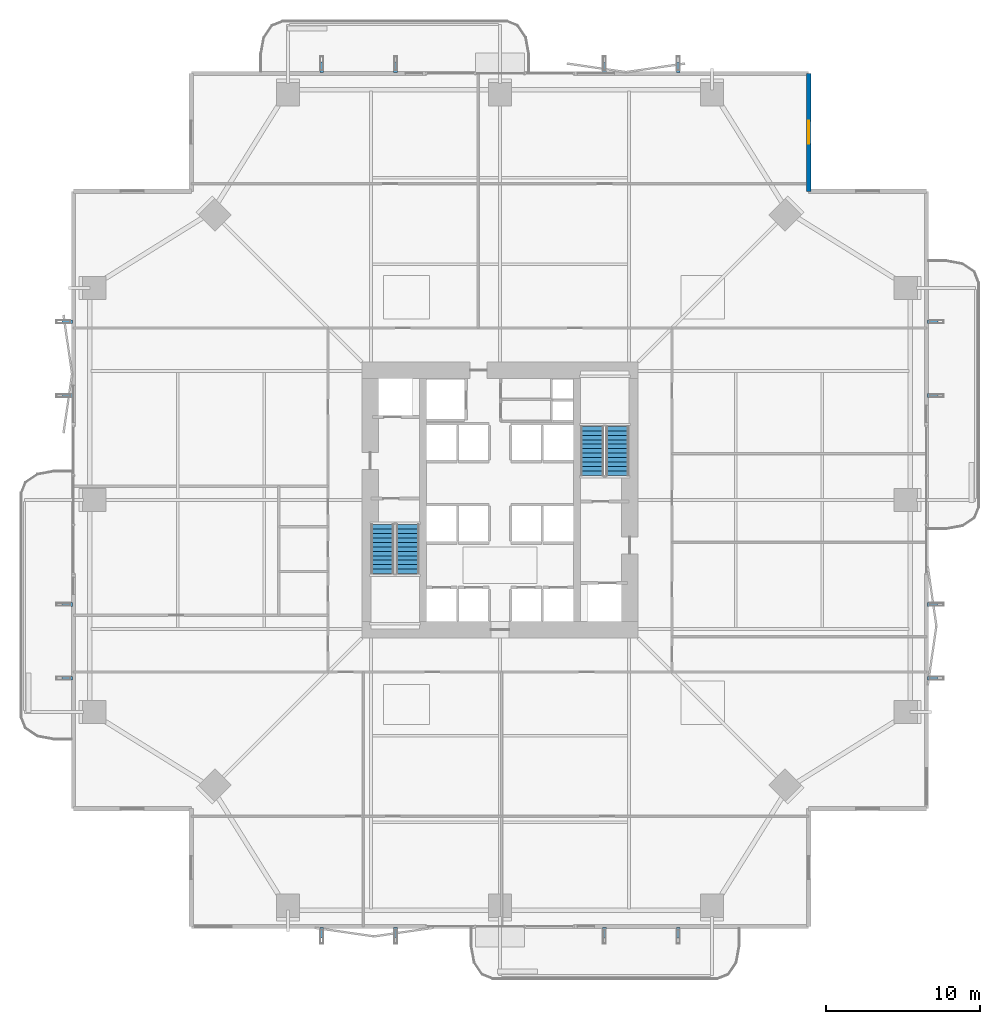
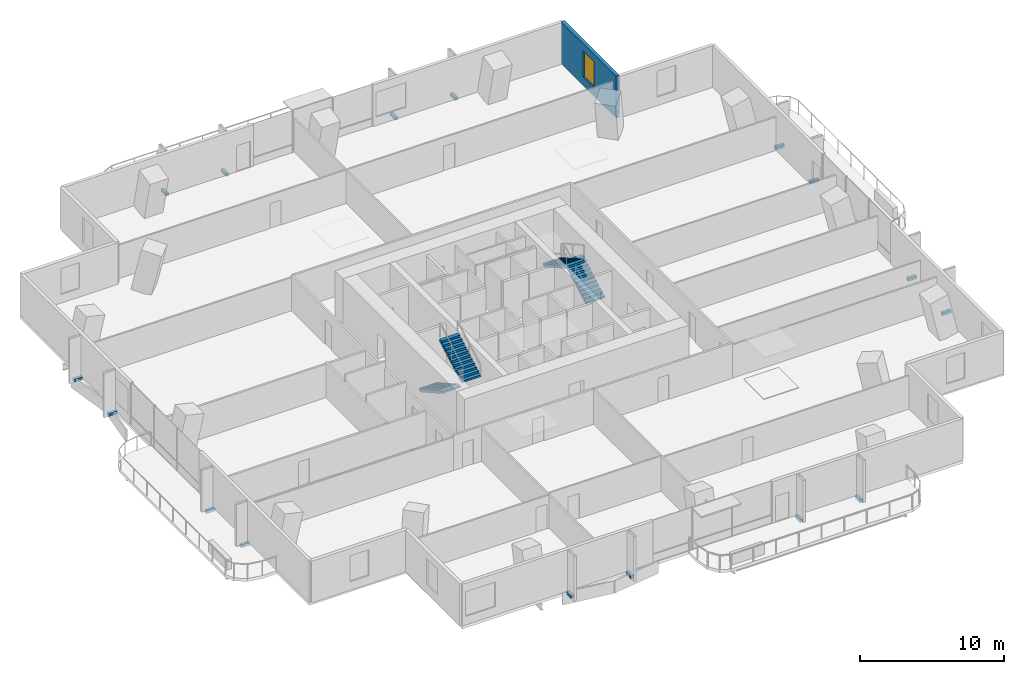
# One storey, part 20 of 24: 16 discrete accessories, 4 stair flights, 1 wall, 1 window, 1 opening, 2 elements without a shape of their own.
"""IFC4 building model written with IfcOpenShell, lengths in metres."""

from ifc_helpers import new_model, si_unit, direction, frame, frame_2d, origin, origin_2d, place, context, subcontext, project, spatial, polyline, rectangle, outline, extrude, material, layer, layer_set, type_object, element, fill, aggregate, save


model = new_model("IFC4")

# Units and contexts
model_context = context("Model", 3, precision=1e-05, world=origin(), true_north=direction((0.0, 1.0)))
body_context = subcontext(model_context, "Body", "Model", "MODEL_VIEW")
ifc_project = project(units=[si_unit("LENGTHUNIT", "METRE"), si_unit("AREAUNIT", "SQUARE_METRE"), si_unit("VOLUMEUNIT", "CUBIC_METRE"), si_unit("PLANEANGLEUNIT", "RADIAN"), si_unit("MASSUNIT", "GRAM", prefix="KILO")], contexts=[model_context])

# Site, building, storey
site_placement = place(None, origin())
site = spatial("IfcSite", under=ifc_project, at=site_placement, CompositionType="ELEMENT")
building_placement = place(site_placement, origin())
building = spatial("IfcBuilding", under=site, at=building_placement, Name="Belovzor Exchange Tower", CompositionType="ELEMENT")
storey_placement = place(building_placement, frame((0.0, 0.0, 104.10009765625)))
storey = spatial("IfcBuildingStorey", under=building, at=storey_placement, Name="L25", CompositionType="ELEMENT", Elevation=104.10009765625)

# Wall, opening, window
ifc_material_1 = material(Name="Precast concrete C40/50", Category="concrete")
ifc_layer_1 = layer(ifc_material_1, 0.280029296875)
ifc_layer_set_1 = layer_set([ifc_layer_1], Name="Precast concrete C40/50")
wall_type = type_object("IfcWallType", Name="Precast Concrete Notched Corner Frame Wall 280", PredefinedType="SOLIDWALL", material=ifc_layer_set_1)
wall_placement = place(storey_placement, frame((48.89990234375, 56.570068359375, 0.0), z_axis=(0.0, 0.0, 1.0), x_axis=(0.0, -1.0, 0.0)))
wall = element("IfcWall", 1, at=wall_placement, inside=storey, type_object=wall_type, Name="W-CRN280 Precast Concrete Notched Corner Frame Wall 280 L25", PredefinedType="SOLIDWALL", context=body_context, shape_type="SweptSolid", body=[
    extrude(rectangle(XDim=7.670166015625, YDim=0.280029296875, at=frame_2d((3.8349609375, 0.0))), origin(), (0.0, 0.0, 1.0), 3.539794921875),
])
opening_placement = place(wall_placement, frame((3.0849609375, 0.0, 0.719970703125)))
opening = element("IfcOpeningElement", 2, at=opening_placement, cuts=wall, Name="Opening WN-CRN150", PredefinedType="OPENING", context=body_context, shape_type="SweptSolid", body=[
    extrude(rectangle(XDim=1.5, YDim=2.199951171875, at=frame_2d((0.75, 1.10009765625))), frame((0.0, 0.14990234375, 0.0), z_axis=(0.0, -1.0, 0.0), x_axis=(1.0, 0.0, 0.0)), (0.0, 0.0, 1.0), 0.300048828125),
])
ifc_material_2 = material(Name="Thermally Broken Aluminium and Triple Glazing", Category="aluminium")
window_type = type_object("IfcWindowType", Name="Streamline Notched Corner Window 1500x2200", PartitioningType="SINGLE_PANEL", PredefinedType="WINDOW", material=ifc_material_2)
window_placement = place(opening_placement, origin())
window = element("IfcWindow", 3, at=window_placement, inside=storey, type_object=window_type, Name="WN-CRN150 Streamline Notched Corner Window 1500x2200", OverallHeight=2.199951171875, OverallWidth=1.5, PartitioningType="SINGLE_PANEL", PredefinedType="WINDOW", context=body_context, shape_type="SweptSolid", body=[
    extrude(rectangle(XDim=1.5, YDim=2.199951171875, at=frame_2d((0.75, 1.10009765625))), frame((0.0, 0.030029296875, 0.0), z_axis=(0.0, -1.0, 0.0), x_axis=(1.0, 0.0, 0.0)), (0.0, 0.0, 1.0), 0.06005859375),
])
fill(opening, window)

# Stair, stair flights
ifc_material_3 = material(Name="Concrete C40/50", Category="concrete")
stair_type = type_object("IfcStairType", Name="Reinforced Concrete Dogleg Escape Stair 1350", PredefinedType="HALF_TURN_STAIR", material=ifc_material_3)
stair_1_placement = place(storey_placement, origin())
stair_1 = element("IfcStair", 4, at=stair_1_placement, inside=storey, type_object=stair_type, Name="L25 ST-1", PredefinedType="HALF_TURN_STAIR")
ifc_material_4 = material(Name="Concrete C40/50", Category="concrete")
stair_flight_type = type_object("IfcStairFlightType", Name="Reinforced Concrete Stair Flight 1350", PredefinedType="STRAIGHT", material=ifc_material_4)
stair_flight_1_placement = place(storey_placement, frame((21.14990234375, 27.199951171875, 0.0), z_axis=(0.0, 0.0, 1.0), x_axis=(0.0, -1.0, 0.0)))
stair_flight_1 = element("IfcStairFlight", 5, at=stair_flight_1_placement, type_object=stair_flight_type, Name="ST-1 flight 1", NumberOfRisers=12, NumberOfTreads=11, PredefinedType="STRAIGHT", RiserHeight=0.1625, TreadLength=0.29, context=body_context, shape_type="SweptSolid", body=[
    extrude(outline(polyline([(0.0, 0.0), (0.0, 0.16259765625), (0.2900390625, 0.16259765625), (0.2900390625, 0.324951171875), (0.580078125, 0.324951171875), (0.580078125, 0.487548828125), (0.8701171875, 0.487548828125), (0.8701171875, 0.64990234375), (1.159912109375, 0.64990234375), (1.159912109375, 0.8125), (1.449951171875, 0.8125), (1.449951171875, 0.97509765625), (1.739990234375, 0.97509765625), (1.739990234375, 1.137451171875), (2.030029296875, 1.137451171875), (2.030029296875, 1.300048828125), (2.320068359375, 1.300048828125), (2.320068359375, 1.46240234375), (2.610107421875, 1.46240234375), (2.610107421875, 1.625), (2.89990234375, 1.625), (2.89990234375, 1.78759765625), (3.18994140625, 1.78759765625), (3.18994140625, 1.949951171875), (3.18994140625, 1.61572265625), (0.306640625, 0.0), (0.0, 0.0)])), frame((0.0, 0.75, 0.0), z_axis=(0.0, -1.0, 0.0), x_axis=(1.0, 0.0, 0.0)), (0.0, 0.0, 1.0), 1.5),
])
stair_flight_2_placement = place(storey_placement, frame((22.800048828125, 24.010009765625, 1.949951171875), z_axis=(0.0, 0.0, 1.0), x_axis=(0.0, 1.0, 0.0)))
stair_flight_2 = element("IfcStairFlight", 6, at=stair_flight_2_placement, type_object=stair_flight_type, Name="ST-1 flight 2", NumberOfRisers=12, NumberOfTreads=11, PredefinedType="STRAIGHT", RiserHeight=0.1625, TreadLength=0.29, context=body_context, shape_type="SweptSolid", body=[
    extrude(outline(polyline([(0.0, 0.0), (0.0, 0.16259765625), (0.2900390625, 0.16259765625), (0.2900390625, 0.324951171875), (0.580078125, 0.324951171875), (0.580078125, 0.487548828125), (0.8701171875, 0.487548828125), (0.8701171875, 0.64990234375), (1.159912109375, 0.64990234375), (1.159912109375, 0.8125), (1.449951171875, 0.8125), (1.449951171875, 0.97509765625), (1.739990234375, 0.97509765625), (1.739990234375, 1.137451171875), (2.030029296875, 1.137451171875), (2.030029296875, 1.300048828125), (2.320068359375, 1.300048828125), (2.320068359375, 1.46240234375), (2.610107421875, 1.46240234375), (2.610107421875, 1.625), (2.89990234375, 1.625), (2.89990234375, 1.78759765625), (3.18994140625, 1.78759765625), (3.18994140625, 1.949951171875), (3.18994140625, 1.61572265625), (0.306640625, 0.0), (0.0, 0.0)])), frame((0.0, 0.75, 0.0), z_axis=(0.0, -1.0, 0.0), x_axis=(1.0, 0.0, 0.0)), (0.0, 0.0, 1.0), 1.5),
])
aggregate(stair_1, [stair_flight_1, stair_flight_2])

stair_2_placement = place(storey_placement, origin())
stair_2 = element("IfcStair", 7, at=stair_2_placement, inside=storey, type_object=stair_type, Name="L25 ST-2", PredefinedType="HALF_TURN_STAIR")
stair_flight_3_placement = place(storey_placement, frame((36.449951171875, 30.39990234375, 0.0), z_axis=(0.0, 0.0, 1.0), x_axis=(0.0, 1.0, 0.0)))
stair_flight_3 = element("IfcStairFlight", 8, at=stair_flight_3_placement, type_object=stair_flight_type, Name="ST-2 flight 1", NumberOfRisers=12, NumberOfTreads=11, PredefinedType="STRAIGHT", RiserHeight=0.1625, TreadLength=0.29, context=body_context, shape_type="SweptSolid", body=[
    extrude(outline(polyline([(0.0, 0.0), (0.0, 0.16259765625), (0.2900390625, 0.16259765625), (0.2900390625, 0.324951171875), (0.580078125, 0.324951171875), (0.580078125, 0.487548828125), (0.8701171875, 0.487548828125), (0.8701171875, 0.64990234375), (1.159912109375, 0.64990234375), (1.159912109375, 0.8125), (1.449951171875, 0.8125), (1.449951171875, 0.97509765625), (1.739990234375, 0.97509765625), (1.739990234375, 1.137451171875), (2.030029296875, 1.137451171875), (2.030029296875, 1.300048828125), (2.320068359375, 1.300048828125), (2.320068359375, 1.46240234375), (2.610107421875, 1.46240234375), (2.610107421875, 1.625), (2.89990234375, 1.625), (2.89990234375, 1.78759765625), (3.18994140625, 1.78759765625), (3.18994140625, 1.949951171875), (3.18994140625, 1.61572265625), (0.306640625, 0.0), (0.0, 0.0)])), frame((0.0, 0.75, 0.0), z_axis=(0.0, -1.0, 0.0), x_axis=(1.0, 0.0, 0.0)), (0.0, 0.0, 1.0), 1.5),
])
stair_flight_4_placement = place(storey_placement, frame((34.800048828125, 33.590087890625, 1.949951171875), z_axis=(0.0, 0.0, 1.0), x_axis=(0.0, -1.0, 0.0)))
stair_flight_4 = element("IfcStairFlight", 9, at=stair_flight_4_placement, type_object=stair_flight_type, Name="ST-2 flight 2", NumberOfRisers=12, NumberOfTreads=11, PredefinedType="STRAIGHT", RiserHeight=0.1625, TreadLength=0.29, context=body_context, shape_type="SweptSolid", body=[
    extrude(outline(polyline([(0.0, 0.0), (0.0, 0.16259765625), (0.2900390625, 0.16259765625), (0.2900390625, 0.324951171875), (0.580078125, 0.324951171875), (0.580078125, 0.487548828125), (0.8701171875, 0.487548828125), (0.8701171875, 0.64990234375), (1.159912109375, 0.64990234375), (1.159912109375, 0.8125), (1.449951171875, 0.8125), (1.449951171875, 0.97509765625), (1.739990234375, 0.97509765625), (1.739990234375, 1.137451171875), (2.030029296875, 1.137451171875), (2.030029296875, 1.300048828125), (2.320068359375, 1.300048828125), (2.320068359375, 1.46240234375), (2.610107421875, 1.46240234375), (2.610107421875, 1.625), (2.89990234375, 1.625), (2.89990234375, 1.78759765625), (3.18994140625, 1.78759765625), (3.18994140625, 1.949951171875), (3.18994140625, 1.61572265625), (0.306640625, 0.0), (0.0, 0.0)])), frame((0.0, 0.75, 0.0), z_axis=(0.0, -1.0, 0.0), x_axis=(1.0, 0.0, 0.0)), (0.0, 0.0, 1.0), 1.5),
])
aggregate(stair_2, [stair_flight_3, stair_flight_4])

# Discrete accessories
ifc_material_5 = material(Name="Stainless Steel Grade 316", Category="steel")
ifc_layer_2 = layer(ifc_material_5, 0.179931640625)
ifc_layer_set_2 = layer_set([ifc_layer_2], Name="Stainless Steel Grade 316")
discrete_accessory_type = type_object("IfcDiscreteAccessoryType", Name="Stainless Steel Facade Outrigger Fixing Bracket", PredefinedType="BRACKET", material=ifc_layer_set_2)
for number, where, z_axis, x_axis, name in (
    (10, (17.199951171875, 0.636962890625, -0.2451171875), (0.0, 0.0, 1.0), (0.0, 1.0, 0.0), "BRK-FIN1 Sweeping Fin Outrigger Bracket L25 S1"),
    (11, (17.199951171875, 56.9619140625, -0.2451171875), (0.0, 0.0, 1.0), (0.0, 1.0, 0.0), "BRK-FIN1 Sweeping Fin Outrigger Bracket L25 N1"),
    (12, (0.636962890625, 17.199951171875, -0.2451171875), (0.0, 0.0, 1.0), (1.0, 0.0, 0.0), "BRK-FIN1 Sweeping Fin Outrigger Bracket L25 W1"),
    (13, (56.9619140625, 17.199951171875, -0.2451171875), (0.0, 0.0, 1.0), (1.0, 0.0, 0.0), "BRK-FIN1 Sweeping Fin Outrigger Bracket L25 E1"),
    (14, (22.0, 0.636962890625, -0.2451171875), (0.0, 0.0, 1.0), (0.0, 1.0, 0.0), "BRK-FIN1 Sweeping Fin Outrigger Bracket L25 S2"),
    (15, (22.0, 56.9619140625, -0.2451171875), (0.0, 0.0, 1.0), (0.0, 1.0, 0.0), "BRK-FIN1 Sweeping Fin Outrigger Bracket L25 N2"),
    (16, (0.636962890625, 22.0, -0.2451171875), (0.0, 0.0, 1.0), (1.0, 0.0, 0.0), "BRK-FIN1 Sweeping Fin Outrigger Bracket L25 W2"),
    (17, (56.9619140625, 22.0, -0.2451171875), (0.0, 0.0, 1.0), (1.0, 0.0, 0.0), "BRK-FIN1 Sweeping Fin Outrigger Bracket L25 E2"),
    (18, (35.60009765625, 0.636962890625, -0.2451171875), (0.0, 0.0, 1.0), (0.0, 1.0, 0.0), "BRK-FIN1 Sweeping Fin Outrigger Bracket L25 S3"),
    (19, (35.60009765625, 56.9619140625, -0.2451171875), (0.0, 0.0, 1.0), (0.0, 1.0, 0.0), "BRK-FIN1 Sweeping Fin Outrigger Bracket L25 N3"),
    (20, (0.636962890625, 35.60009765625, -0.2451171875), (0.0, 0.0, 1.0), (1.0, 0.0, 0.0), "BRK-FIN1 Sweeping Fin Outrigger Bracket L25 W3"),
    (21, (56.9619140625, 35.60009765625, -0.2451171875), (0.0, 0.0, 1.0), (1.0, 0.0, 0.0), "BRK-FIN1 Sweeping Fin Outrigger Bracket L25 E3"),
    (22, (40.39990234375, 0.636962890625, -0.2451171875), (0.0, 0.0, 1.0), (0.0, 1.0, 0.0), "BRK-FIN1 Sweeping Fin Outrigger Bracket L25 S4"),
    (23, (40.39990234375, 56.9619140625, -0.2451171875), (0.0, 0.0, 1.0), (0.0, 1.0, 0.0), "BRK-FIN1 Sweeping Fin Outrigger Bracket L25 N4"),
    (24, (0.636962890625, 40.39990234375, -0.2451171875), (0.0, 0.0, 1.0), (1.0, 0.0, 0.0), "BRK-FIN1 Sweeping Fin Outrigger Bracket L25 W4"),
    (25, (56.9619140625, 40.39990234375, -0.2451171875), (0.0, 0.0, 1.0), (1.0, 0.0, 0.0), "BRK-FIN1 Sweeping Fin Outrigger Bracket L25 E4"),
):
    element("IfcDiscreteAccessory", number, at=place(storey_placement, frame(where, z_axis=z_axis, x_axis=x_axis)), inside=storey, type_object=discrete_accessory_type, Name=name, PredefinedType="BRACKET", context=body_context, shape_type="SweptSolid", body=[
        extrude(rectangle(XDim=0.68505859375, YDim=0.239990234375, at=origin_2d()), origin(), (0.0, 0.0, 1.0), 0.239990234375),
    ])

save(model, "model.ifc")
